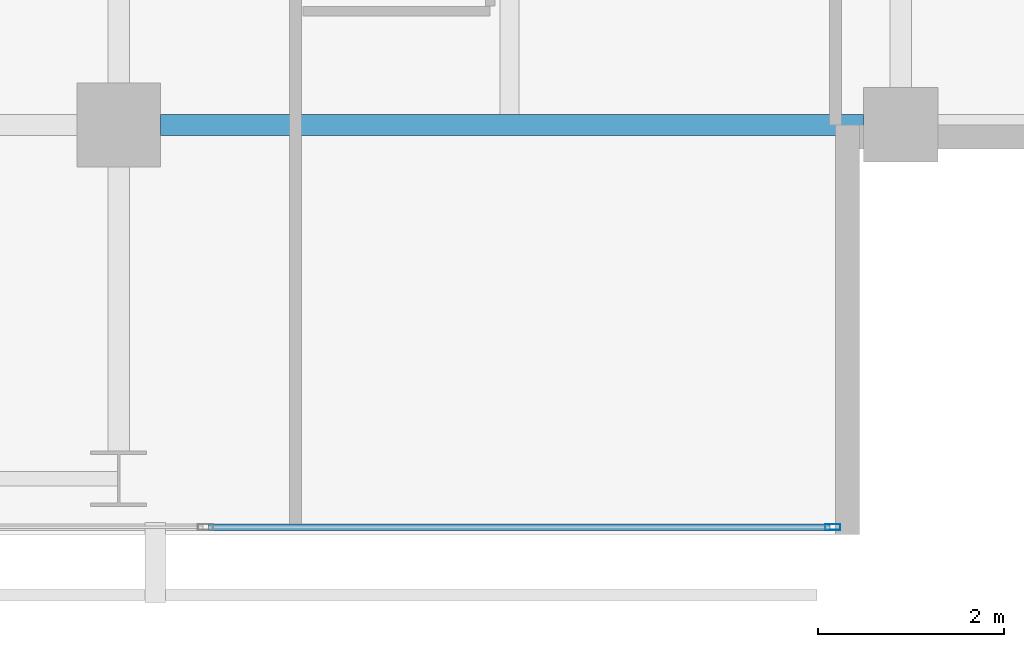
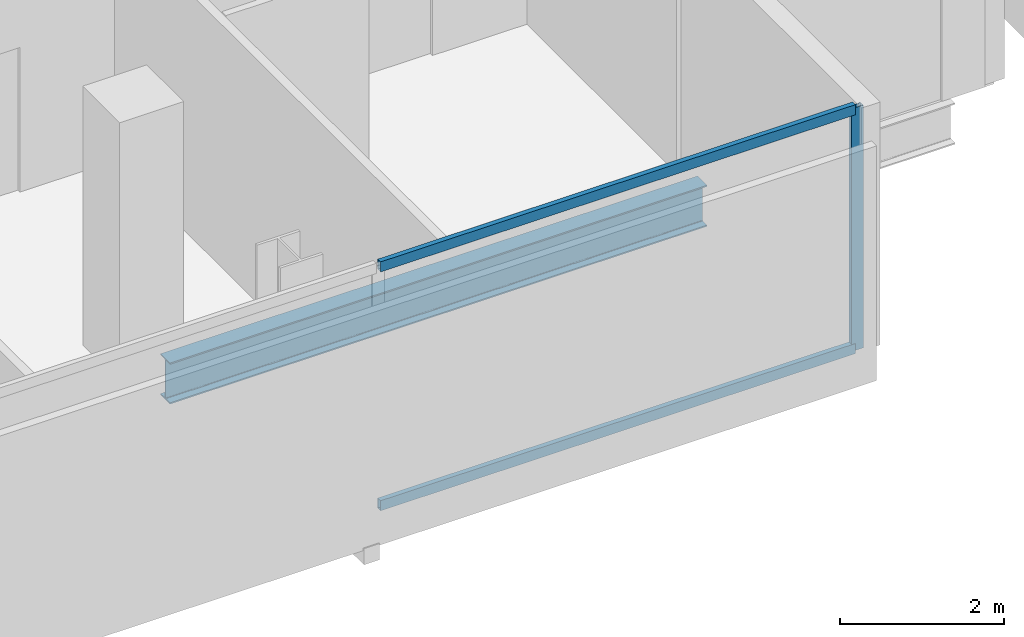
# One storey, part 13 of 34: 3 members, 1 beam, 1 element without a shape of its own.
"""IFC4 building model written with IfcOpenShell, lengths in metres."""

from ifc_helpers import new_model, si_unit, direction, frame, origin, origin_2d, place, context, subcontext, project, spatial, hollow_rectangle, i_section, extrude, material, layer, layer_set, material_profile, profile_set, type_object, element, aggregate, save


model = new_model("IFC4")

# Units and contexts
model_context = context("Model", 3, precision=1e-05, world=origin(), true_north=direction((0.0, 1.0)))
body_context = subcontext(model_context, "Body", "Model", "MODEL_VIEW")
ifc_project = project(units=[si_unit("LENGTHUNIT", "METRE"), si_unit("AREAUNIT", "SQUARE_METRE"), si_unit("VOLUMEUNIT", "CUBIC_METRE"), si_unit("PLANEANGLEUNIT", "RADIAN"), si_unit("MASSUNIT", "GRAM", prefix="KILO")], contexts=[model_context])

# Site, building, storey
site_placement = place(None, origin())
site = spatial("IfcSite", under=ifc_project, at=site_placement, CompositionType="ELEMENT")
building_placement = place(site_placement, origin())
building = spatial("IfcBuilding", under=site, at=building_placement, Name="Maruvema Waterfront Hotel and Observation Tower", CompositionType="ELEMENT")
storey_placement = place(building_placement, frame((0.0, 0.0, 127.39990234375)))
storey = spatial("IfcBuildingStorey", under=building, at=storey_placement, Name="L30", CompositionType="ELEMENT", Elevation=127.39990234375)

# Curtain wall, members
ifc_material_1 = material(Name="Anodised bronze aluminium and solar-control low-E IGU", Category="aluminium")
ifc_layer = layer(ifc_material_1, 0.159912109375, Name="Zone 2 Amber Inner Thermal Curtain Wall System CW-03")
ifc_layer_set = layer_set([ifc_layer], Name="Anodised bronze aluminium and solar-control low-E IGU")
curtain_wall_type = type_object("IfcCurtainWallType", Name="Zone 2 Amber Inner Thermal Curtain Wall System CW-03", PredefinedType="USERDEFINED", material=ifc_layer_set)
curtain_wall_placement = place(storey_placement, origin())
curtain_wall = element("IfcCurtainWall", 1, at=curtain_wall_placement, inside=storey, type_object=curtain_wall_type, Name="L30 Curtain Wall CW-L30-S", ObjectType="UNITISED CURTAIN WALL", PredefinedType="USERDEFINED")
ifc_material_2 = material(Name="Anodised architectural bronze aluminium", Category="aluminium")
ifc_material_profile_1 = material_profile(ifc_material_2, hollow_rectangle(XDim=0.070068359375, YDim=0.14990234375, WallThickness=0.00390625, at=origin_2d()), Name="ALU-T70x150")
ifc_profile_set_1 = profile_set([ifc_material_profile_1], Name="Anodised architectural bronze aluminium")
member_type_1 = type_object("IfcMemberType", Name="Curtain Wall Horizontal Transom ALU-T70x150", PredefinedType="USERDEFINED", material=ifc_profile_set_1)
member_1_placement = place(storey_placement, frame((51.36328125, 4.679931640625, 0.030029296875), z_axis=(1.0, 0.0, 0.0), x_axis=(0.0, 1.0, 0.0)))
member_1 = element("IfcMember", 2, at=member_1_placement, type_object=member_type_1, Name="CW-03 transom 6.1", ObjectType="TRANSOM", PredefinedType="USERDEFINED", context=body_context, shape_type="SweptSolid", body=[
    extrude(hollow_rectangle(XDim=0.070068359375, YDim=0.14990234375, WallThickness=0.00390625, at=origin_2d()), origin(), (0.0, 0.0, 1.0), 6.6767578125),
])
member_2_placement = place(storey_placement, frame((51.36328125, 4.679931640625, 3.580078125), z_axis=(1.0, 0.0, 0.0), x_axis=(0.0, 1.0, 0.0)))
member_2 = element("IfcMember", 3, at=member_2_placement, type_object=member_type_1, Name="CW-03 transom 6.2", ObjectType="TRANSOM", PredefinedType="USERDEFINED", context=body_context, shape_type="SweptSolid", body=[
    extrude(hollow_rectangle(XDim=0.070068359375, YDim=0.14990234375, WallThickness=0.00390625, at=origin_2d()), origin(), (0.0, 0.0, 1.0), 6.6767578125),
])
ifc_material_3 = material(Name="Anodised architectural bronze aluminium", Category="aluminium")
ifc_material_profile_2 = material_profile(ifc_material_3, hollow_rectangle(XDim=0.06494140625, YDim=0.1650390625, WallThickness=0.00390625, at=origin_2d()), Name="ALU-M65x165")
ifc_profile_set_2 = profile_set([ifc_material_profile_2], Name="Anodised architectural bronze aluminium")
member_type_2 = type_object("IfcMemberType", Name="Curtain Wall Primary Mullion ALU-M65x165", PredefinedType="MULLION", material=ifc_profile_set_2)
member_3_placement = place(storey_placement, frame((58.070068359375, 4.679931640625, 0.0), z_axis=(0.0, 0.0, 1.0), x_axis=(0.0, 1.0, 0.0)))
member_3 = element("IfcMember", 4, at=member_3_placement, type_object=member_type_2, Name="CW-03 mullion 7", PredefinedType="MULLION", context=body_context, shape_type="SweptSolid", body=[
    extrude(hollow_rectangle(XDim=0.06494140625, YDim=0.1650390625, WallThickness=0.00390625, at=origin_2d()), origin(), (0.0, 0.0, 1.0), 3.610107421875),
])
aggregate(curtain_wall, [member_3, member_1, member_2])

# Beam
ifc_material_4 = material(Name="Steel ASTM A572 Grade 50", Category="steel")
ifc_material_profile_3 = material_profile(ifc_material_4, i_section(OverallWidth=0.22900390625, OverallDepth=0.612060546875, WebThickness=0.011962890625, FlangeThickness=0.01953125, FilletRadius=0.01806640625, at=origin_2d()), Name="W610x125.0")
ifc_profile_set_3 = profile_set([ifc_material_profile_3], Name="Steel ASTM A572 Grade 50")
beam_type = type_object("IfcBeamType", Name="Primary Floor Girder W610x125.0", PredefinedType="BEAM", material=ifc_profile_set_3)
beam_placement = place(storey_placement, frame((50.85009765625, 9.0, -0.5458984375), z_axis=(1.0, 0.0, 0.0), x_axis=(0.0, 1.0, 0.0)))
element("IfcBeam", 5, at=beam_placement, inside=storey, type_object=beam_type, Name="L30 Floor Girder EW-09", PredefinedType="BEAM", context=body_context, shape_type="SweptSolid", body=[
    extrude(i_section(OverallWidth=0.22900390625, OverallDepth=0.612060546875, WebThickness=0.011962890625, FlangeThickness=0.01953125, FilletRadius=0.01806640625, at=origin_2d()), origin(), (0.0, 0.0, 1.0), 7.5498046875),
])

save(model, "model.ifc")
